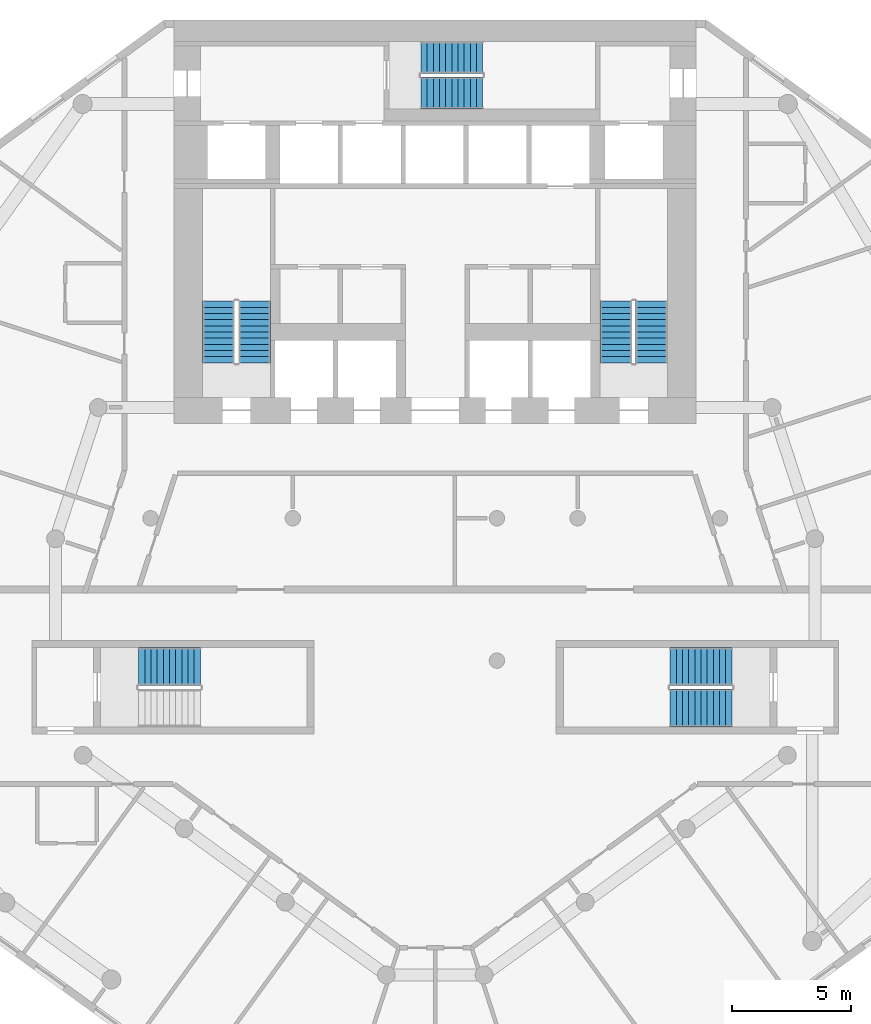
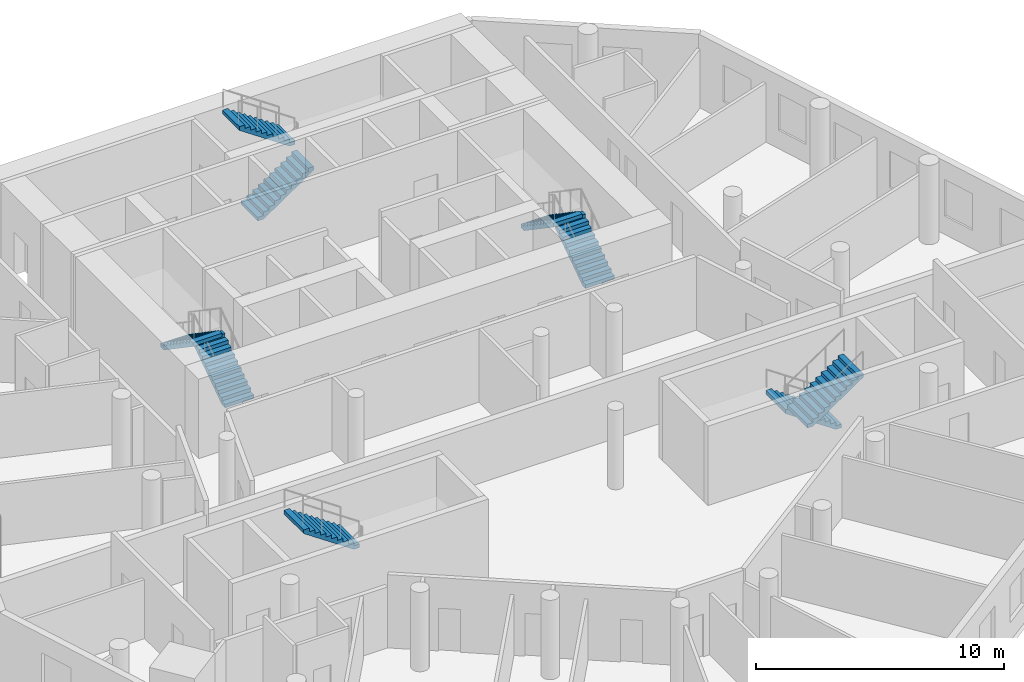
# One storey, part 7 of 9: 9 stair flights, 5 elements without a shape of their own.
"""IFC4 building model written with IfcOpenShell, lengths in metres."""

from ifc_helpers import new_model, si_unit, direction, frame, origin, place, context, subcontext, project, spatial, polyline, outline, extrude, material, layer, layer_set, type_object, element, aggregate, save


model = new_model("IFC4")

# Units and contexts
model_context = context("Model", 3, precision=1e-05, world=origin(), true_north=direction((0.0, 1.0)))
body_context = subcontext(model_context, "Body", "Model", "MODEL_VIEW")
ifc_project = project(units=[si_unit("LENGTHUNIT", "METRE"), si_unit("AREAUNIT", "SQUARE_METRE"), si_unit("VOLUMEUNIT", "CUBIC_METRE"), si_unit("PLANEANGLEUNIT", "RADIAN"), si_unit("MASSUNIT", "GRAM", prefix="KILO")], contexts=[model_context])

# Site, building, storey
site_placement = place(None, origin())
site = spatial("IfcSite", under=ifc_project, at=site_placement, CompositionType="ELEMENT")
building_placement = place(site_placement, origin())
building = spatial("IfcBuilding", under=site, at=building_placement, Name="White Candle Pilgrim Tower", CompositionType="ELEMENT")
storey_placement = place(building_placement, frame((0.0, 0.0, 94.699951171875)))
storey = spatial("IfcBuildingStorey", under=building, at=storey_placement, Name="L20", CompositionType="ELEMENT", Elevation=94.699951171875)

# Stair, stair flights
ifc_material = material(Name="Concrete C40/50", Category="concrete")
stair_type_1 = type_object("IfcStairType", Name="Exit stair 1 flight width 1350 mm", PredefinedType="HALF_TURN_STAIR", material=ifc_material)
stair_1_placement = place(storey_placement, origin())
stair_1 = element("IfcStair", 1, at=stair_1_placement, inside=storey, type_object=stair_type_1, Name="L20 stair 1", PredefinedType="NOTDEFINED")
ifc_layer = layer(ifc_material, 0.14990234375)
ifc_layer_set = layer_set([ifc_layer], Name="Stair flight Concrete C40/50")
stair_flight_type = type_object("IfcStairFlightType", Name="Stair flight Concrete C40/50", PredefinedType="STRAIGHT", material=ifc_layer_set)
stair_flight_1_placement = place(storey_placement, frame((62.375, 73.550048828125, 0.0), z_axis=(0.0, 0.0, 1.0), x_axis=(0.0, 1.0, 0.0)))
stair_flight_1 = element("IfcStairFlight", 2, at=stair_flight_1_placement, type_object=stair_flight_type, Name="ST1 flight 1", NumberOfRisers=11, NumberOfTreads=10, PredefinedType="NOTDEFINED", RiserHeight=0.177272727, TreadLength=0.26, context=body_context, shape_type="SweptSolid", body=[
    extrude(outline(polyline([(0.0, 0.0), (0.0, 0.17724609375), (0.260009765625, 0.17724609375), (0.260009765625, 0.3544921875), (0.52001953125, 0.3544921875), (0.52001953125, 0.53173828125), (0.780029296875, 0.53173828125), (0.780029296875, 0.708984375), (1.0400390625, 0.708984375), (1.0400390625, 0.886474609375), (1.300048828125, 0.886474609375), (1.300048828125, 1.063720703125), (1.56005859375, 1.063720703125), (1.56005859375, 1.240966796875), (1.820068359375, 1.240966796875), (1.820068359375, 1.418212890625), (2.080078125, 1.418212890625), (2.080078125, 1.595458984375), (2.340087890625, 1.595458984375), (2.340087890625, 1.772705078125), (2.60009765625, 1.772705078125), (2.60009765625, 1.949951171875), (2.60009765625, 1.59130859375), (0.26611328125, 0.0), (0.0, 0.0)])), frame((0.0, 0.675048828125, 0.0), z_axis=(0.0, -1.0, 0.0), x_axis=(1.0, 0.0, 0.0)), (0.0, 0.0, 1.0), 1.35009765625),
])
stair_flight_2_placement = place(storey_placement, frame((60.875, 76.14990234375, 1.949951171875), z_axis=(0.0, 0.0, 1.0), x_axis=(0.0, -1.0, 0.0)))
stair_flight_2 = element("IfcStairFlight", 3, at=stair_flight_2_placement, type_object=stair_flight_type, Name="ST1 flight 2", NumberOfRisers=11, NumberOfTreads=10, PredefinedType="NOTDEFINED", RiserHeight=0.177272727, TreadLength=0.26, context=body_context, shape_type="SweptSolid", body=[
    extrude(outline(polyline([(0.0, 0.0), (0.0, 0.17724609375), (0.260009765625, 0.17724609375), (0.260009765625, 0.3544921875), (0.52001953125, 0.3544921875), (0.52001953125, 0.53173828125), (0.780029296875, 0.53173828125), (0.780029296875, 0.708984375), (1.0400390625, 0.708984375), (1.0400390625, 0.886474609375), (1.300048828125, 0.886474609375), (1.300048828125, 1.063720703125), (1.56005859375, 1.063720703125), (1.56005859375, 1.240966796875), (1.820068359375, 1.240966796875), (1.820068359375, 1.418212890625), (2.080078125, 1.418212890625), (2.080078125, 1.595458984375), (2.340087890625, 1.595458984375), (2.340087890625, 1.772705078125), (2.60009765625, 1.772705078125), (2.60009765625, 1.949951171875), (2.60009765625, 1.59130859375), (0.26611328125, 0.0), (0.0, 0.0)])), frame((0.0, 0.675048828125, 0.0), z_axis=(0.0, -1.0, 0.0), x_axis=(1.0, 0.0, 0.0)), (0.0, 0.0, 1.0), 1.35009765625),
])
aggregate(stair_1, [stair_flight_1, stair_flight_2])

stair_type_2 = type_object("IfcStairType", Name="Exit stair 2 flight width 1350 mm", PredefinedType="HALF_TURN_STAIR", material=ifc_material)
stair_2_placement = place(storey_placement, origin())
stair_2 = element("IfcStair", 4, at=stair_2_placement, inside=storey, type_object=stair_type_2, Name="L20 stair 2", PredefinedType="NOTDEFINED")
stair_flight_3_placement = place(storey_placement, frame((79.125, 73.550048828125, 0.0), z_axis=(0.0, 0.0, 1.0), x_axis=(0.0, 1.0, 0.0)))
stair_flight_3 = element("IfcStairFlight", 5, at=stair_flight_3_placement, type_object=stair_flight_type, Name="ST2 flight 1", NumberOfRisers=11, NumberOfTreads=10, PredefinedType="NOTDEFINED", RiserHeight=0.177272727, TreadLength=0.26, context=body_context, shape_type="SweptSolid", body=[
    extrude(outline(polyline([(0.0, 0.0), (0.0, 0.17724609375), (0.260009765625, 0.17724609375), (0.260009765625, 0.3544921875), (0.52001953125, 0.3544921875), (0.52001953125, 0.53173828125), (0.780029296875, 0.53173828125), (0.780029296875, 0.708984375), (1.0400390625, 0.708984375), (1.0400390625, 0.886474609375), (1.300048828125, 0.886474609375), (1.300048828125, 1.063720703125), (1.56005859375, 1.063720703125), (1.56005859375, 1.240966796875), (1.820068359375, 1.240966796875), (1.820068359375, 1.418212890625), (2.080078125, 1.418212890625), (2.080078125, 1.595458984375), (2.340087890625, 1.595458984375), (2.340087890625, 1.772705078125), (2.60009765625, 1.772705078125), (2.60009765625, 1.949951171875), (2.60009765625, 1.59130859375), (0.26611328125, 0.0), (0.0, 0.0)])), frame((0.0, 0.675048828125, 0.0), z_axis=(0.0, -1.0, 0.0), x_axis=(1.0, 0.0, 0.0)), (0.0, 0.0, 1.0), 1.35009765625),
])
stair_flight_4_placement = place(storey_placement, frame((77.625, 76.14990234375, 1.949951171875), z_axis=(0.0, 0.0, 1.0), x_axis=(0.0, -1.0, 0.0)))
stair_flight_4 = element("IfcStairFlight", 6, at=stair_flight_4_placement, type_object=stair_flight_type, Name="ST2 flight 2", NumberOfRisers=11, NumberOfTreads=10, PredefinedType="NOTDEFINED", RiserHeight=0.177272727, TreadLength=0.26, context=body_context, shape_type="SweptSolid", body=[
    extrude(outline(polyline([(0.0, 0.0), (0.0, 0.17724609375), (0.260009765625, 0.17724609375), (0.260009765625, 0.3544921875), (0.52001953125, 0.3544921875), (0.52001953125, 0.53173828125), (0.780029296875, 0.53173828125), (0.780029296875, 0.708984375), (1.0400390625, 0.708984375), (1.0400390625, 0.886474609375), (1.300048828125, 0.886474609375), (1.300048828125, 1.063720703125), (1.56005859375, 1.063720703125), (1.56005859375, 1.240966796875), (1.820068359375, 1.240966796875), (1.820068359375, 1.418212890625), (2.080078125, 1.418212890625), (2.080078125, 1.595458984375), (2.340087890625, 1.595458984375), (2.340087890625, 1.772705078125), (2.60009765625, 1.772705078125), (2.60009765625, 1.949951171875), (2.60009765625, 1.59130859375), (0.26611328125, 0.0), (0.0, 0.0)])), frame((0.0, 0.675048828125, 0.0), z_axis=(0.0, -1.0, 0.0), x_axis=(1.0, 0.0, 0.0)), (0.0, 0.0, 1.0), 1.35009765625),
])
aggregate(stair_2, [stair_flight_3, stair_flight_4])

stair_type_3 = type_object("IfcStairType", Name="Exit stair 3 flight width 1350 mm", PredefinedType="HALF_TURN_STAIR", material=ifc_material)
stair_3_placement = place(storey_placement, origin())
stair_3 = element("IfcStair", 7, at=stair_3_placement, inside=storey, type_object=stair_type_3, Name="L20 stair 3", PredefinedType="NOTDEFINED")
stair_flight_5_placement = place(storey_placement, frame((69.39990234375, 84.925048828125, 0.0), z_axis=(0.0, 0.0, 1.0), x_axis=(1.0, 0.0, 0.0)))
stair_flight_5 = element("IfcStairFlight", 8, at=stair_flight_5_placement, type_object=stair_flight_type, Name="ST3 flight 1", NumberOfRisers=11, NumberOfTreads=10, PredefinedType="NOTDEFINED", RiserHeight=0.177272727, TreadLength=0.26, context=body_context, shape_type="SweptSolid", body=[
    extrude(outline(polyline([(0.0, 0.0), (0.0, 0.17724609375), (0.260009765625, 0.17724609375), (0.260009765625, 0.3544921875), (0.52001953125, 0.3544921875), (0.52001953125, 0.53173828125), (0.780029296875, 0.53173828125), (0.780029296875, 0.708984375), (1.0400390625, 0.708984375), (1.0400390625, 0.886474609375), (1.300048828125, 0.886474609375), (1.300048828125, 1.063720703125), (1.56005859375, 1.063720703125), (1.56005859375, 1.240966796875), (1.820068359375, 1.240966796875), (1.820068359375, 1.418212890625), (2.080078125, 1.418212890625), (2.080078125, 1.595458984375), (2.340087890625, 1.595458984375), (2.340087890625, 1.772705078125), (2.60009765625, 1.772705078125), (2.60009765625, 1.949951171875), (2.60009765625, 1.59130859375), (0.26611328125, 0.0), (0.0, 0.0)])), frame((0.0, 0.675048828125, 0.0), z_axis=(0.0, -1.0, 0.0), x_axis=(1.0, 0.0, 0.0)), (0.0, 0.0, 1.0), 1.35009765625),
])
stair_flight_6_placement = place(storey_placement, frame((72.0, 86.425048828125, 1.949951171875), z_axis=(0.0, 0.0, 1.0), x_axis=(-1.0, 0.0, 0.0)))
stair_flight_6 = element("IfcStairFlight", 9, at=stair_flight_6_placement, type_object=stair_flight_type, Name="ST3 flight 2", NumberOfRisers=11, NumberOfTreads=10, PredefinedType="NOTDEFINED", RiserHeight=0.177272727, TreadLength=0.26, context=body_context, shape_type="SweptSolid", body=[
    extrude(outline(polyline([(0.0, 0.0), (0.0, 0.17724609375), (0.260009765625, 0.17724609375), (0.260009765625, 0.3544921875), (0.52001953125, 0.3544921875), (0.52001953125, 0.53173828125), (0.780029296875, 0.53173828125), (0.780029296875, 0.708984375), (1.0400390625, 0.708984375), (1.0400390625, 0.886474609375), (1.300048828125, 0.886474609375), (1.300048828125, 1.063720703125), (1.56005859375, 1.063720703125), (1.56005859375, 1.240966796875), (1.820068359375, 1.240966796875), (1.820068359375, 1.418212890625), (2.080078125, 1.418212890625), (2.080078125, 1.595458984375), (2.340087890625, 1.595458984375), (2.340087890625, 1.772705078125), (2.60009765625, 1.772705078125), (2.60009765625, 1.949951171875), (2.60009765625, 1.59130859375), (0.26611328125, 0.0), (0.0, 0.0)])), frame((0.0, 0.675048828125, 0.0), z_axis=(0.0, -1.0, 0.0), x_axis=(1.0, 0.0, 0.0)), (0.0, 0.0, 1.0), 1.35009765625),
])
aggregate(stair_3, [stair_flight_5, stair_flight_6])

stair_type_4 = type_object("IfcStairType", Name="Exit stair 4 flight width 1600 mm", PredefinedType="HALF_TURN_STAIR", material=ifc_material)
stair_4_placement = place(storey_placement, origin())
stair_4 = element("IfcStair", 10, at=stair_4_placement, inside=storey, type_object=stair_type_4, Name="L20 stair 4", PredefinedType="NOTDEFINED")
stair_flight_7_placement = place(storey_placement, frame((82.5, 60.75, 0.0), z_axis=(0.0, 0.0, 1.0), x_axis=(-1.0, 0.0, 0.0)))
stair_flight_7 = element("IfcStairFlight", 11, at=stair_flight_7_placement, type_object=stair_flight_type, Name="ST4 flight 1", NumberOfRisers=11, NumberOfTreads=10, PredefinedType="NOTDEFINED", RiserHeight=0.177272727, TreadLength=0.26, context=body_context, shape_type="SweptSolid", body=[
    extrude(outline(polyline([(0.0, 0.0), (0.0, 0.17724609375), (0.260009765625, 0.17724609375), (0.260009765625, 0.3544921875), (0.52001953125, 0.3544921875), (0.52001953125, 0.53173828125), (0.780029296875, 0.53173828125), (0.780029296875, 0.708984375), (1.0400390625, 0.708984375), (1.0400390625, 0.886474609375), (1.300048828125, 0.886474609375), (1.300048828125, 1.063720703125), (1.56005859375, 1.063720703125), (1.56005859375, 1.240966796875), (1.820068359375, 1.240966796875), (1.820068359375, 1.418212890625), (2.080078125, 1.418212890625), (2.080078125, 1.595458984375), (2.340087890625, 1.595458984375), (2.340087890625, 1.772705078125), (2.60009765625, 1.772705078125), (2.60009765625, 1.949951171875), (2.60009765625, 1.59130859375), (0.26611328125, 0.0), (0.0, 0.0)])), frame((0.0, 0.800048828125, 0.0), z_axis=(0.0, -1.0, 0.0), x_axis=(1.0, 0.0, 0.0)), (0.0, 0.0, 1.0), 1.60009765625),
])
stair_flight_8_placement = place(storey_placement, frame((79.89990234375, 59.0, 1.949951171875), z_axis=(0.0, 0.0, 1.0), x_axis=(1.0, 0.0, 0.0)))
stair_flight_8 = element("IfcStairFlight", 12, at=stair_flight_8_placement, type_object=stair_flight_type, Name="ST4 flight 2", NumberOfRisers=11, NumberOfTreads=10, PredefinedType="NOTDEFINED", RiserHeight=0.177272727, TreadLength=0.26, context=body_context, shape_type="SweptSolid", body=[
    extrude(outline(polyline([(0.0, 0.0), (0.0, 0.17724609375), (0.260009765625, 0.17724609375), (0.260009765625, 0.3544921875), (0.52001953125, 0.3544921875), (0.52001953125, 0.53173828125), (0.780029296875, 0.53173828125), (0.780029296875, 0.708984375), (1.0400390625, 0.708984375), (1.0400390625, 0.886474609375), (1.300048828125, 0.886474609375), (1.300048828125, 1.063720703125), (1.56005859375, 1.063720703125), (1.56005859375, 1.240966796875), (1.820068359375, 1.240966796875), (1.820068359375, 1.418212890625), (2.080078125, 1.418212890625), (2.080078125, 1.595458984375), (2.340087890625, 1.595458984375), (2.340087890625, 1.772705078125), (2.60009765625, 1.772705078125), (2.60009765625, 1.949951171875), (2.60009765625, 1.59130859375), (0.26611328125, 0.0), (0.0, 0.0)])), frame((0.0, 0.800048828125, 0.0), z_axis=(0.0, -1.0, 0.0), x_axis=(1.0, 0.0, 0.0)), (0.0, 0.0, 1.0), 1.60009765625),
])
aggregate(stair_4, [stair_flight_7, stair_flight_8])

# Stair, stair flight
stair_type_5 = type_object("IfcStairType", Name="Exit stair 5 flight width 1600 mm", PredefinedType="HALF_TURN_STAIR", material=ifc_material)
stair_5_placement = place(storey_placement, origin())
stair_5 = element("IfcStair", 13, at=stair_5_placement, inside=storey, type_object=stair_type_5, Name="L20 stair 5", PredefinedType="NOTDEFINED")
stair_flight_9_placement = place(storey_placement, frame((60.10009765625, 60.75, 1.949951171875), z_axis=(0.0, 0.0, 1.0), x_axis=(-1.0, 0.0, 0.0)))
stair_flight_9 = element("IfcStairFlight", 14, at=stair_flight_9_placement, type_object=stair_flight_type, Name="ST5 flight 2", NumberOfRisers=11, NumberOfTreads=10, PredefinedType="NOTDEFINED", RiserHeight=0.177272727, TreadLength=0.26, context=body_context, shape_type="SweptSolid", body=[
    extrude(outline(polyline([(0.0, 0.0), (0.0, 0.17724609375), (0.260009765625, 0.17724609375), (0.260009765625, 0.3544921875), (0.52001953125, 0.3544921875), (0.52001953125, 0.53173828125), (0.780029296875, 0.53173828125), (0.780029296875, 0.708984375), (1.0400390625, 0.708984375), (1.0400390625, 0.886474609375), (1.300048828125, 0.886474609375), (1.300048828125, 1.063720703125), (1.56005859375, 1.063720703125), (1.56005859375, 1.240966796875), (1.820068359375, 1.240966796875), (1.820068359375, 1.418212890625), (2.080078125, 1.418212890625), (2.080078125, 1.595458984375), (2.340087890625, 1.595458984375), (2.340087890625, 1.772705078125), (2.60009765625, 1.772705078125), (2.60009765625, 1.949951171875), (2.60009765625, 1.59130859375), (0.26611328125, 0.0), (0.0, 0.0)])), frame((0.0, 0.800048828125, 0.0), z_axis=(0.0, -1.0, 0.0), x_axis=(1.0, 0.0, 0.0)), (0.0, 0.0, 1.0), 1.60009765625),
])
aggregate(stair_5, [stair_flight_9])

save(model, "model.ifc")
